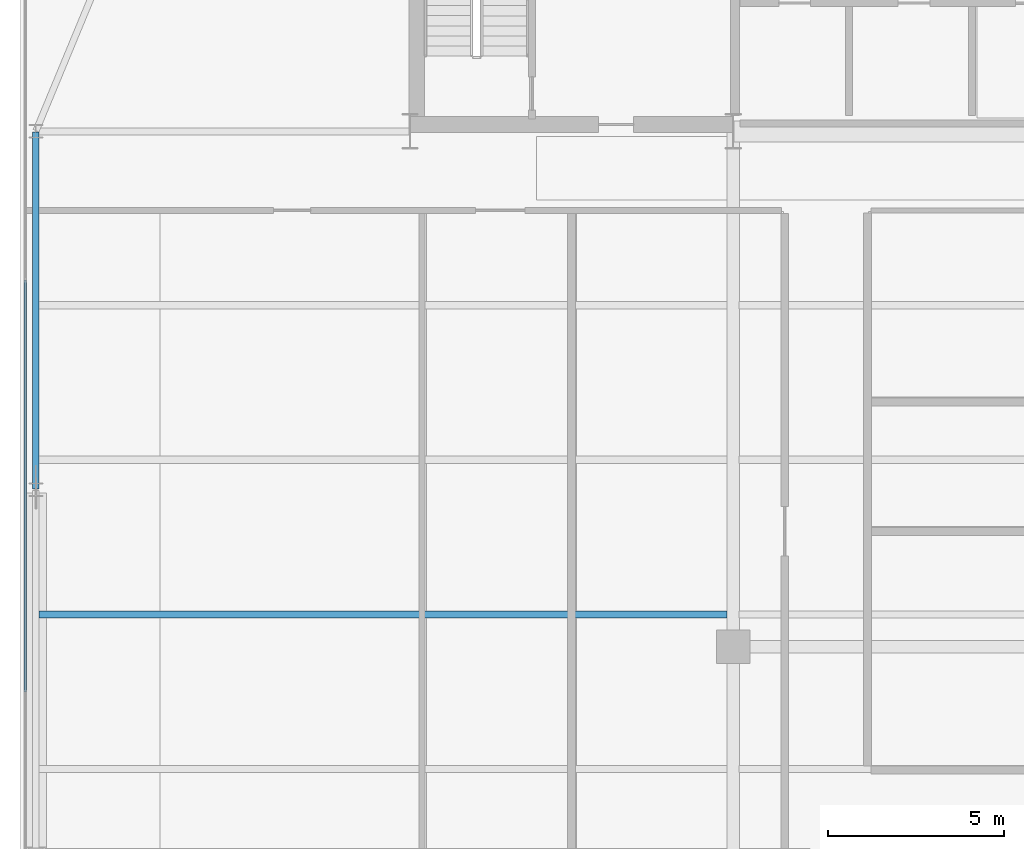
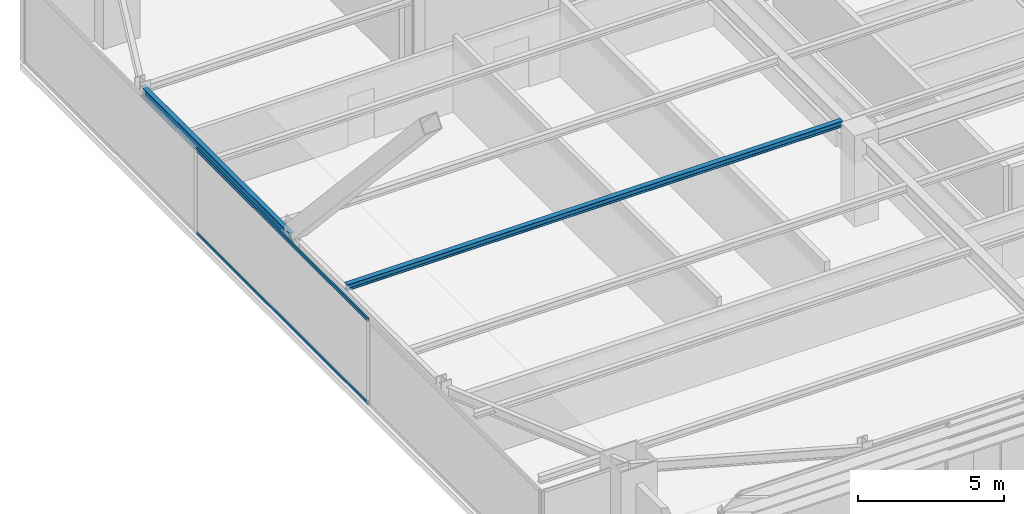
# One storey, part 9 of 37: 2 beams, 2 members, 1 element without a shape of its own.
"""IFC4 building model written with IfcOpenShell, lengths in metres."""

from ifc_helpers import new_model, si_unit, direction, frame, origin, origin_2d, place, context, subcontext, project, spatial, hollow_rectangle, i_section, extrude, source, transform, mapped, material, layer, layer_set, material_profile, profile_set, type_object, type_shapes, element, aggregate, save


model = new_model("IFC4")

# Units and contexts
model_context = context("Model", 3, precision=1e-05, world=origin(), true_north=direction((0.0, 1.0)))
body_context = subcontext(model_context, "Body", "Model", "MODEL_VIEW")
ifc_project = project(units=[si_unit("LENGTHUNIT", "METRE"), si_unit("AREAUNIT", "SQUARE_METRE"), si_unit("VOLUMEUNIT", "CUBIC_METRE"), si_unit("PLANEANGLEUNIT", "RADIAN"), si_unit("MASSUNIT", "GRAM", prefix="KILO")], contexts=[model_context])

# Site, building, storey
site_placement = place(None, origin())
site = spatial("IfcSite", under=ifc_project, at=site_placement, CompositionType="ELEMENT")
building_placement = place(site_placement, origin())
building = spatial("IfcBuilding", under=site, at=building_placement, Name="Varnel Quay Broadcast Tower", CompositionType="ELEMENT")
storey_placement = place(building_placement, frame((0.0, 0.0, 125.800048828125)))
storey = spatial("IfcBuildingStorey", under=building, at=storey_placement, Name="L30", CompositionType="ELEMENT", Elevation=125.800048828125)

# Beams
ifc_material_1 = material(Name="Structural Steel CSA G40.21 350W", Category="steel")
ifc_material_profile_1 = material_profile(ifc_material_1, i_section(OverallWidth=0.180908203125, OverallDepth=0.4169921875, WebThickness=0.010986328125, FlangeThickness=0.018310546875, FilletRadius=0.011962890625, at=origin_2d()), Name="W410X85")
ifc_profile_set_1 = profile_set([ifc_material_profile_1], Name="Structural Steel CSA G40.21 350W")
beam_type_1 = type_object("IfcBeamType", Name="Beam_W410X85", PredefinedType="SPANDREL", material=ifc_profile_set_1)
shared_shape_1 = source(origin(), body_context, "Body", "SweptSolid", [
    extrude(i_section(OverallWidth=0.180908203125, OverallDepth=0.4169921875, WebThickness=0.010986328125, FlangeThickness=0.018310546875, FilletRadius=0.011962890625, at=origin_2d()), origin(), (0.0, 0.0, 1.0), 10.16015625),
])
type_shapes(beam_type_1, [shared_shape_1])
beam_1_placement = place(storey_placement, frame((4.949951171875, 25.419921875, 3.341552734375), z_axis=(0.0, 1.0, 0.0), x_axis=(-1.0, 0.0, 0.0)))
element("IfcBeam", 1, at=beam_1_placement, inside=storey, type_object=beam_type_1, Name="L30 West Spandrel TC-W2-TC-W3", PredefinedType="SPANDREL", context=body_context, shape_type="MappedRepresentation", body=[
    mapped(shared_shape_1, transform((0.0, 0.0, 0.0), x_axis=(1.0, 0.0, 0.0), y_axis=(0.0, 1.0, 0.0), z_axis=(0.0, 0.0, 1.0), scale=1.0)),
])
ifc_material_profile_2 = material_profile(ifc_material_1, i_section(OverallWidth=0.201904296875, OverallDepth=0.2470703125, WebThickness=0.00732421875, FlangeThickness=0.010986328125, FilletRadius=0.010986328125, at=origin_2d()), Name="W250X49")
ifc_profile_set_2 = profile_set([ifc_material_profile_2], Name="Structural Steel CSA G40.21 350W")
beam_type_2 = type_object("IfcBeamType", Name="Beam_W250X49", PredefinedType="JOIST", material=ifc_profile_set_2)
shared_shape_2 = source(origin(), body_context, "Body", "SweptSolid", [
    extrude(i_section(OverallWidth=0.201904296875, OverallDepth=0.2470703125, WebThickness=0.00732421875, FlangeThickness=0.010986328125, FilletRadius=0.010986328125, at=origin_2d()), origin(), (0.0, 0.0, 1.0), 19.592041015625),
])
type_shapes(beam_type_2, [shared_shape_2])
beam_2_placement = place(storey_placement, frame((5.035400390625, 21.85009765625, 3.426513671875), z_axis=(1.0, 0.0, 0.0), x_axis=(0.0, 1.0, 0.0)))
element("IfcBeam", 2, at=beam_2_placement, inside=storey, type_object=beam_type_2, Name="L30 West Floor Joist 4", PredefinedType="JOIST", context=body_context, shape_type="MappedRepresentation", body=[
    mapped(shared_shape_2, transform((0.0, 0.0, 0.0), x_axis=(1.0, 0.0, 0.0), y_axis=(0.0, 1.0, 0.0), z_axis=(0.0, 0.0, 1.0), scale=1.0)),
])

# Curtain wall, members
ifc_material_2 = material(Name="Anodised Bronze Aluminium 6063-T6", Category="aluminium")
ifc_layer = layer(ifc_material_2, 0.18994140625, Name="Anodised Bronze Aluminium 6063-T6")
ifc_layer_set = layer_set([ifc_layer], Name="Anodised Bronze Aluminium 6063-T6")
curtain_wall_type = type_object("IfcCurtainWallType", Name="CW_LowerTower", PredefinedType="NOTDEFINED", material=ifc_layer_set)
curtain_wall_placement = place(storey_placement, origin())
curtain_wall = element("IfcCurtainWall", 3, at=curtain_wall_placement, inside=storey, type_object=curtain_wall_type, Name="L30 West Unitised Curtain Wall", PredefinedType="NOTDEFINED")
ifc_material_profile_3 = material_profile(ifc_material_2, hollow_rectangle(XDim=0.06005859375, YDim=0.14501953125, WallThickness=0.00341796875, at=origin_2d()), Name="ALU60X145X3.5")
ifc_profile_set_3 = profile_set([ifc_material_profile_3], Name="Anodised Bronze Aluminium 6063-T6")
member_type = type_object("IfcMemberType", Name="Tran_CWS-02", PredefinedType="USERDEFINED", material=ifc_profile_set_3)
shared_shape_3 = source(origin(), body_context, "Body", "SweptSolid", [
    extrude(hollow_rectangle(XDim=0.06005859375, YDim=0.14501953125, WallThickness=0.00341796875, at=origin_2d()), origin(), (0.0, 0.0, 1.0), 11.72998046875),
])
type_shapes(member_type, [shared_shape_3])
member_1_placement = place(storey_placement, frame((4.64990234375, 19.635009765625, 0.030029296875), z_axis=(0.0, 1.0, 0.0), x_axis=(-1.0, 0.0, 0.0)))
member_1 = element("IfcMember", 4, at=member_1_placement, type_object=member_type, Name="CWS-02 transom 2.1", ObjectType="TRANSOM", PredefinedType="USERDEFINED", context=body_context, shape_type="MappedRepresentation", body=[
    mapped(shared_shape_3, transform((0.0, 0.0, 0.0), x_axis=(1.0, 0.0, 0.0), y_axis=(0.0, 1.0, 0.0), z_axis=(0.0, 0.0, 1.0), scale=1.0)),
])
member_2_placement = place(storey_placement, frame((4.64990234375, 19.635009765625, 3.52001953125), z_axis=(0.0, 1.0, 0.0), x_axis=(-1.0, 0.0, 0.0)))
member_2 = element("IfcMember", 5, at=member_2_placement, type_object=member_type, Name="CWS-02 transom 2.2", ObjectType="TRANSOM", PredefinedType="USERDEFINED", context=body_context, shape_type="MappedRepresentation", body=[
    mapped(shared_shape_3, transform((0.0, 0.0, 0.0), x_axis=(1.0, 0.0, 0.0), y_axis=(0.0, 1.0, 0.0), z_axis=(0.0, 0.0, 1.0), scale=1.0)),
])
aggregate(curtain_wall, [member_1, member_2])

save(model, "model.ifc")
